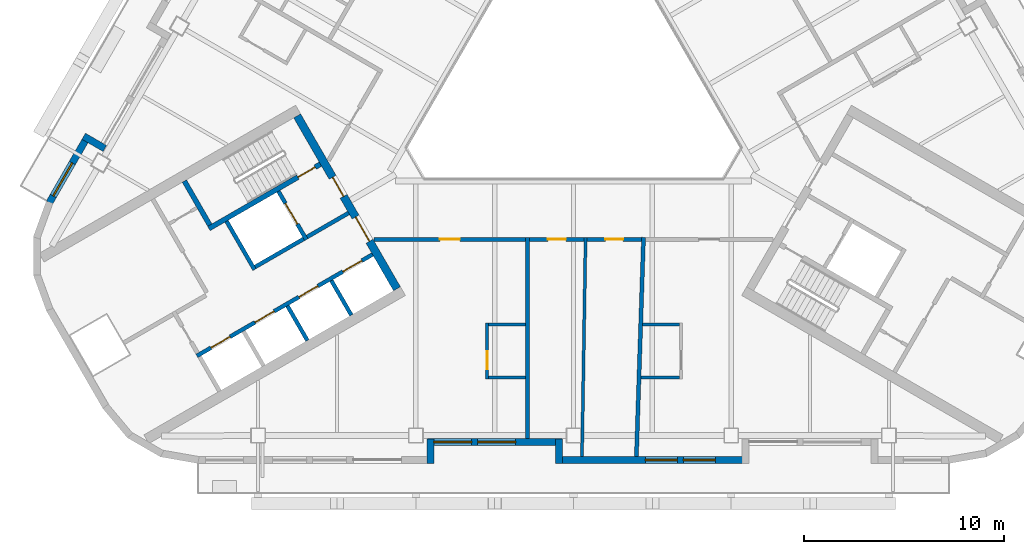
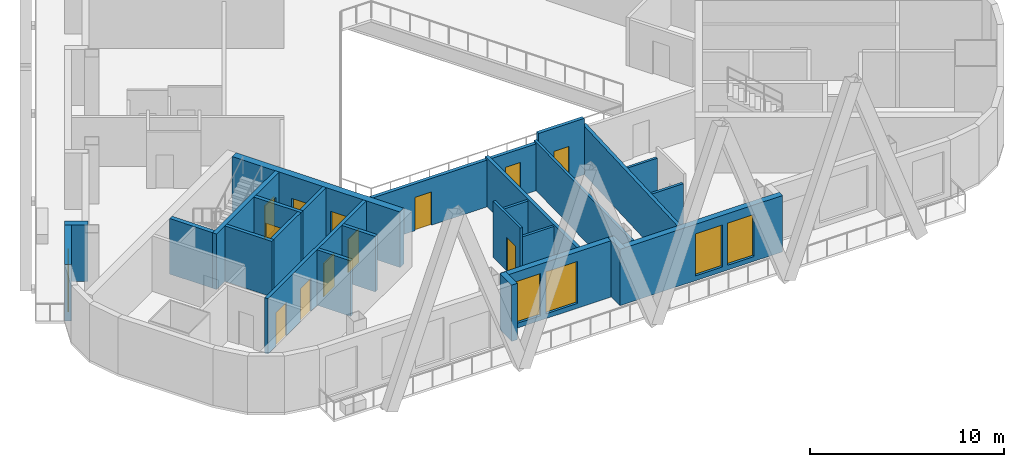
# One storey, part 3 of 14: 27 walls, 12 doors, 5 windows, 17 openings.
"""IFC4 building model written with IfcOpenShell, lengths in metres."""

from ifc_helpers import new_model, si_unit, direction, frame, frame_2d, origin, place, context, subcontext, project, spatial, rectangle, extrude, material, layer, layer_set, type_object, element, fill, save


model = new_model("IFC4")

# Units and contexts
model_context = context("Model", 3, precision=1e-05, world=origin(), true_north=direction((0.0, 1.0)))
body_context = subcontext(model_context, "Body", "Model", "MODEL_VIEW")
ifc_project = project(units=[si_unit("LENGTHUNIT", "METRE"), si_unit("AREAUNIT", "SQUARE_METRE"), si_unit("VOLUMEUNIT", "CUBIC_METRE"), si_unit("PLANEANGLEUNIT", "RADIAN"), si_unit("MASSUNIT", "GRAM", prefix="KILO")], contexts=[model_context])

# Site, building, storey
site_placement = place(None, origin())
site = spatial("IfcSite", under=ifc_project, at=site_placement, CompositionType="ELEMENT")
building_placement = place(site_placement, origin())
building = spatial("IfcBuilding", under=site, at=building_placement, Name="Apuvela Tower Hotel", CompositionType="ELEMENT")
storey_placement = place(building_placement, frame((0.0, 0.0, 213.199951171875)))
storey = spatial("IfcBuildingStorey", under=building, at=storey_placement, Name="L52", CompositionType="ELEMENT", Elevation=213.199951171875)

# Wall, openings, doors
ifc_material_1 = material(Name="Concrete C50/60", Category="concrete")
ifc_layer_1 = layer(ifc_material_1, 0.39990234375)
ifc_layer_set_1 = layer_set([ifc_layer_1], Name="COR-WALL-CORE-400")
wall_type_1 = type_object("IfcWallType", Name="COR-WALL-CORE-400", PredefinedType="SHEAR", material=ifc_layer_set_1)
wall_1_placement = place(storey_placement, frame((-13.844970703125, -2.219970703125, 0.0), z_axis=(0.0, 0.0, 1.0), x_axis=(0.500004234368, -0.866022959057, 0.0)))
wall_1 = element("IfcWall", 1, at=wall_1_placement, inside=storey, type_object=wall_type_1, Name="Core wall SW", PredefinedType="SHEAR", context=body_context, shape_type="SweptSolid", body=[
    extrude(rectangle(XDim=10.0, YDim=0.39990234375, at=frame_2d((5.0, 0.0))), origin(), (0.0, 0.0, 1.0), 3.5),
])
opening_1_placement = place(wall_1_placement, frame((3.550048828125, 0.0, 0.0)))
opening_1 = element("IfcOpeningElement", 2, at=opening_1_placement, cuts=wall_1, Name="Opening W-FD", PredefinedType="OPENING", context=body_context, shape_type="SweptSolid", body=[
    extrude(rectangle(XDim=1.10009765625, YDim=2.10009765625, at=frame_2d((0.550048828125, 1.050048828125))), frame((0.0, 0.2099609375, 0.0), z_axis=(0.0, -1.0, 0.0), x_axis=(1.0, 0.0, 0.0)), (0.0, 0.0, 1.0), 0.419921875),
])
opening_2_placement = place(wall_1_placement, frame((5.85009765625, 0.0, 0.0)))
opening_2 = element("IfcOpeningElement", 3, at=opening_2_placement, cuts=wall_1, Name="Opening W-GD", PredefinedType="OPENING", context=body_context, shape_type="SweptSolid", body=[
    extrude(rectangle(XDim=1.39990234375, YDim=2.10009765625, at=frame_2d((0.699951171875, 1.050048828125))), frame((0.0, 0.2099609375, 0.0), z_axis=(0.0, -1.0, 0.0), x_axis=(1.0, 0.0, 0.0)), (0.0, 0.0, 1.0), 0.419921875),
])
ifc_material_2 = material(Name="Steel fire door, powder coated", Category="steel")
door_type_1 = type_object("IfcDoorType", Name="COR-FD-1100", OperationType="NOTDEFINED", PredefinedType="DOOR", material=ifc_material_2)
door_1_placement = place(opening_1_placement, frame((1.10009765625, 0.0, 0.0), z_axis=(0.0, 0.0, 1.0), x_axis=(-1.0, 0.0, 0.0)))
door_1 = element("IfcDoor", 4, at=door_1_placement, inside=storey, type_object=door_type_1, Name="Firefighting lobby door W-FD", OperationType="SINGLE_SWING_LEFT", OverallHeight=2.10009765625, OverallWidth=1.10009765625, PredefinedType="DOOR", context=body_context, shape_type="SweptSolid", body=[
    extrude(rectangle(XDim=1.10009765625, YDim=2.10009765625, at=frame_2d((0.550048828125, 1.050048828125))), frame((0.0, 0.02490234375, 0.0), z_axis=(0.0, -1.0, 0.0), x_axis=(1.0, 0.0, 0.0)), (0.0, 0.0, 1.0), 0.050048828125),
])
fill(opening_1, door_1)
ifc_material_3 = material(Name="Glazed steel fire door", Category="steel")
door_type_2 = type_object("IfcDoorType", Name="COR-GD-1400", OperationType="DOUBLE_DOOR_SINGLE_SWING", PredefinedType="DOOR", material=ifc_material_3)
door_2_placement = place(opening_2_placement, frame((1.39990234375, 0.0, 0.0), z_axis=(0.0, 0.0, 1.0), x_axis=(-1.0, 0.0, 0.0)))
door_2 = element("IfcDoor", 5, at=door_2_placement, inside=storey, type_object=door_type_2, Name="Lift lobby door W-GD", OperationType="DOUBLE_DOOR_SINGLE_SWING", OverallHeight=2.10009765625, OverallWidth=1.39990234375, PredefinedType="DOOR", context=body_context, shape_type="SweptSolid", body=[
    extrude(rectangle(XDim=1.39990234375, YDim=2.10009765625, at=frame_2d((0.699951171875, 1.050048828125))), frame((0.0, 0.02490234375, 0.0), z_axis=(0.0, -1.0, 0.0), x_axis=(1.0, 0.0, 0.0)), (0.0, 0.0, 1.0), 0.050048828125),
])
fill(opening_2, door_2)

# Wall
ifc_layer_2 = layer(ifc_material_1, 0.199951171875)
ifc_layer_set_2 = layer_set([ifc_layer_2], Name="COR-WALL-SHAFT-200")
wall_type_2 = type_object("IfcWallType", Name="COR-WALL-SHAFT-200", PredefinedType="SHEAR", material=ifc_layer_set_2)
wall_2_placement = place(storey_placement, frame((-17.38134765625, -7.49462890625, 0.0), z_axis=(0.0, 0.0, 1.0), x_axis=(0.500011755427, -0.866018616679, 0.0)))
element("IfcWall", 6, at=wall_2_placement, inside=storey, type_object=wall_type_2, Name="Shaft wall SW", PredefinedType="SHEAR", context=body_context, shape_type="SweptSolid", body=[
    extrude(rectangle(XDim=2.80029296875, YDim=0.199951171875, at=frame_2d((1.400146484375, 0.0))), origin(), (0.0, 0.0, 1.0), 3.5),
])

# Wall, opening, door
wall_3_placement = place(storey_placement, frame((-14.783203125, -5.99462890625, 0.0), z_axis=(0.0, 0.0, 1.0), x_axis=(0.49994636267, -0.866056369097, 0.0)))
wall_3 = element("IfcWall", 7, at=wall_3_placement, inside=storey, type_object=wall_type_2, Name="Shaft wall SW", PredefinedType="SHEAR", context=body_context, shape_type="SweptSolid", body=[
    extrude(rectangle(XDim=2.800048828125, YDim=0.199951171875, at=frame_2d((1.39990234375, 0.0))), origin(), (0.0, 0.0, 1.0), 3.5),
])
opening_3_placement = place(wall_3_placement, frame((0.699951171875, 0.0, 0.0)))
opening_3 = element("IfcOpeningElement", 8, at=opening_3_placement, cuts=wall_3, Name="Opening W-LD-FS2", PredefinedType="OPENING", context=body_context, shape_type="SweptSolid", body=[
    extrude(rectangle(XDim=1.199951171875, YDim=2.10009765625, at=frame_2d((0.60009765625, 1.050048828125))), frame((0.0, 0.10986328125, 0.0), z_axis=(0.0, -1.0, 0.0), x_axis=(1.0, 0.0, 0.0)), (0.0, 0.0, 1.0), 0.219970703125),
])
ifc_material_4 = material(Name="Stainless steel lift landing door", Category="steel")
door_type_3 = type_object("IfcDoorType", Name="COR-LD-1200", OperationType="DOUBLE_DOOR_SLIDING", PredefinedType="DOOR", material=ifc_material_4)
door_3_placement = place(opening_3_placement, origin())
door_3 = element("IfcDoor", 9, at=door_3_placement, inside=storey, type_object=door_type_3, Name="Lift landing door W-LD-FS2", OperationType="DOUBLE_DOOR_SLIDING", OverallHeight=2.10009765625, OverallWidth=1.199951171875, PredefinedType="DOOR", context=body_context, shape_type="SweptSolid", body=[
    extrude(rectangle(XDim=1.199951171875, YDim=2.10009765625, at=frame_2d((0.60009765625, 1.050048828125))), frame((0.0, 0.02490234375, 0.0), z_axis=(0.0, -1.0, 0.0), x_axis=(1.0, 0.0, 0.0)), (0.0, 0.0, 1.0), 0.050048828125),
])
fill(opening_3, door_3)

# Walls
wall_4_placement = place(storey_placement, frame((-13.519775390625, -8.383056640625, 0.0), z_axis=(0.0, 0.0, 1.0), x_axis=(-0.866034573852, -0.49998411664, 0.0)))
element("IfcWall", 10, at=wall_4_placement, inside=storey, type_object=wall_type_2, Name="Shaft wall SW", PredefinedType="SHEAR", context=body_context, shape_type="SweptSolid", body=[
    extrude(rectangle(XDim=2.7998046875, YDim=0.199951171875, at=frame_2d((1.39990234375, 0.0))), origin(), (0.0, 0.0, 1.0), 3.5),
])
wall_5_placement = place(storey_placement, frame((-11.26806640625, -7.0830078125, 0.0), z_axis=(0.0, 0.0, 1.0), x_axis=(-0.866050077142, -0.499957262057, 0.0)))
element("IfcWall", 11, at=wall_5_placement, inside=storey, type_object=wall_type_2, Name="Shaft wall SW", PredefinedType="SHEAR", context=body_context, shape_type="SweptSolid", body=[
    extrude(rectangle(XDim=2.400146484375, YDim=0.199951171875, at=frame_2d((1.2001953125, 0.0))), origin(), (0.0, 0.0, 1.0), 3.5),
])

# Wall, openings, doors
wall_6_placement = place(storey_placement, frame((-10.068115234375, -9.16162109375, 0.0), z_axis=(0.0, 0.0, 1.0), x_axis=(-0.866032725843, -0.499987317609, 0.0)))
wall_6 = element("IfcWall", 12, at=wall_6_placement, inside=storey, type_object=wall_type_2, Name="Shaft wall SW", PredefinedType="SHEAR", context=body_context, shape_type="SweptSolid", body=[
    extrude(rectangle(XDim=10.159912109375, YDim=0.199951171875, at=frame_2d((5.080078125, 0.0))), origin(), (0.0, 0.0, 1.0), 3.5),
])
opening_4_placement = place(wall_6_placement, frame((0.6201171875, 0.0, 0.0)))
opening_4 = element("IfcOpeningElement", 13, at=opening_4_placement, cuts=wall_6, Name="Opening W-LD-MR1", PredefinedType="OPENING", context=body_context, shape_type="SweptSolid", body=[
    extrude(rectangle(XDim=1.10009765625, YDim=2.10009765625, at=frame_2d((0.550048828125, 1.050048828125))), frame((0.0, 0.10986328125, 0.0), z_axis=(0.0, -1.0, 0.0), x_axis=(1.0, 0.0, 0.0)), (0.0, 0.0, 1.0), 0.219970703125),
])
opening_5_placement = place(wall_6_placement, frame((3.159912109375, 0.0, 0.0)))
opening_5 = element("IfcOpeningElement", 14, at=opening_5_placement, cuts=wall_6, Name="Opening W-LD-MR2", PredefinedType="OPENING", context=body_context, shape_type="SweptSolid", body=[
    extrude(rectangle(XDim=1.10009765625, YDim=2.10009765625, at=frame_2d((0.550048828125, 1.050048828125))), frame((0.0, 0.10986328125, 0.0), z_axis=(0.0, -1.0, 0.0), x_axis=(1.0, 0.0, 0.0)), (0.0, 0.0, 1.0), 0.219970703125),
])
opening_6_placement = place(wall_6_placement, frame((5.699951171875, 0.0, 0.0)))
opening_6 = element("IfcOpeningElement", 15, at=opening_6_placement, cuts=wall_6, Name="Opening W-LD-MR3", PredefinedType="OPENING", context=body_context, shape_type="SweptSolid", body=[
    extrude(rectangle(XDim=1.10009765625, YDim=2.10009765625, at=frame_2d((0.550048828125, 1.050048828125))), frame((0.0, 0.10986328125, 0.0), z_axis=(0.0, -1.0, 0.0), x_axis=(1.0, 0.0, 0.0)), (0.0, 0.0, 1.0), 0.219970703125),
])
opening_7_placement = place(wall_6_placement, frame((8.239990234375, 0.0, 0.0)))
opening_7 = element("IfcOpeningElement", 16, at=opening_7_placement, cuts=wall_6, Name="Opening W-LD-MR4", PredefinedType="OPENING", context=body_context, shape_type="SweptSolid", body=[
    extrude(rectangle(XDim=1.10009765625, YDim=2.10009765625, at=frame_2d((0.550048828125, 1.050048828125))), frame((0.0, 0.10986328125, 0.0), z_axis=(0.0, -1.0, 0.0), x_axis=(1.0, 0.0, 0.0)), (0.0, 0.0, 1.0), 0.219970703125),
])
door_type_4 = type_object("IfcDoorType", Name="COR-LD-1100", OperationType="DOUBLE_DOOR_SLIDING", PredefinedType="DOOR", material=ifc_material_4)
door_4_placement = place(opening_4_placement, origin())
door_4 = element("IfcDoor", 17, at=door_4_placement, inside=storey, type_object=door_type_4, Name="Lift landing door W-LD-MR1", OperationType="DOUBLE_DOOR_SLIDING", OverallHeight=2.10009765625, OverallWidth=1.10009765625, PredefinedType="DOOR", context=body_context, shape_type="SweptSolid", body=[
    extrude(rectangle(XDim=1.10009765625, YDim=2.10009765625, at=frame_2d((0.550048828125, 1.050048828125))), frame((0.0, 0.02490234375, 0.0), z_axis=(0.0, -1.0, 0.0), x_axis=(1.0, 0.0, 0.0)), (0.0, 0.0, 1.0), 0.050048828125),
])
fill(opening_4, door_4)
door_5_placement = place(opening_5_placement, origin())
door_5 = element("IfcDoor", 18, at=door_5_placement, inside=storey, type_object=door_type_4, Name="Lift landing door W-LD-MR2", OperationType="DOUBLE_DOOR_SLIDING", OverallHeight=2.10009765625, OverallWidth=1.10009765625, PredefinedType="DOOR", context=body_context, shape_type="SweptSolid", body=[
    extrude(rectangle(XDim=1.10009765625, YDim=2.10009765625, at=frame_2d((0.550048828125, 1.050048828125))), frame((0.0, 0.02490234375, 0.0), z_axis=(0.0, -1.0, 0.0), x_axis=(1.0, 0.0, 0.0)), (0.0, 0.0, 1.0), 0.050048828125),
])
fill(opening_5, door_5)
door_6_placement = place(opening_6_placement, origin())
door_6 = element("IfcDoor", 19, at=door_6_placement, inside=storey, type_object=door_type_4, Name="Lift landing door W-LD-MR3", OperationType="DOUBLE_DOOR_SLIDING", OverallHeight=2.10009765625, OverallWidth=1.10009765625, PredefinedType="DOOR", context=body_context, shape_type="SweptSolid", body=[
    extrude(rectangle(XDim=1.10009765625, YDim=2.10009765625, at=frame_2d((0.550048828125, 1.050048828125))), frame((0.0, 0.02490234375, 0.0), z_axis=(0.0, -1.0, 0.0), x_axis=(1.0, 0.0, 0.0)), (0.0, 0.0, 1.0), 0.050048828125),
])
fill(opening_6, door_6)
door_7_placement = place(opening_7_placement, origin())
door_7 = element("IfcDoor", 20, at=door_7_placement, inside=storey, type_object=door_type_4, Name="Lift landing door W-LD-MR4", OperationType="DOUBLE_DOOR_SLIDING", OverallHeight=2.10009765625, OverallWidth=1.10009765625, PredefinedType="DOOR", context=body_context, shape_type="SweptSolid", body=[
    extrude(rectangle(XDim=1.10009765625, YDim=2.10009765625, at=frame_2d((0.550048828125, 1.050048828125))), frame((0.0, 0.02490234375, 0.0), z_axis=(0.0, -1.0, 0.0), x_axis=(1.0, 0.0, 0.0)), (0.0, 0.0, 1.0), 0.050048828125),
])
fill(opening_7, door_7)

# Walls
for number, where, z_axis, x_axis, name in (
    (21, (-12.131103515625, -10.468017578125, 0.0), (0.0, 0.0, 1.0), (0.499972520799, -0.866041268327, 0.0), "Shaft wall SW"),
    (22, (-14.330810546875, -11.738037109375, 0.0), (0.0, 0.0, 1.0), (0.499972520799, -0.866041268327, 0.0), "Shaft wall SW"),
):
    element("IfcWall", number, at=place(storey_placement, frame(where, z_axis=z_axis, x_axis=x_axis)), inside=storey, type_object=wall_type_2, Name=name, PredefinedType="SHEAR", context=body_context, shape_type="SweptSolid", body=[
        extrude(rectangle(XDim=2.0, YDim=0.199951171875, at=frame_2d((1.0, 0.0))), origin(), (0.0, 0.0, 1.0), 3.5),
    ])

# Wall, opening, door
ifc_layer_3 = layer(ifc_material_1, 0.25)
ifc_layer_set_3 = layer_set([ifc_layer_3], Name="COR-WALL-STAIR-250")
wall_type_3 = type_object("IfcWallType", Name="COR-WALL-STAIR-250", PredefinedType="SHEAR", material=ifc_layer_set_3)
wall_7_placement = place(storey_placement, frame((-12.6806640625, -4.636474609375, 0.0), z_axis=(0.0, 0.0, 1.0), x_axis=(-0.866021702275, -0.500006411147, 0.0)))
wall_7 = element("IfcWall", 23, at=wall_7_placement, inside=storey, type_object=wall_type_3, Name="Stair wall SW", PredefinedType="SHEAR", context=body_context, shape_type="SweptSolid", body=[
    extrude(rectangle(XDim=6.4501953125, YDim=0.25, at=frame_2d((3.22509765625, 0.0))), origin(), (0.0, 0.0, 1.0), 3.5),
])
opening_8_placement = place(wall_7_placement, frame((0.300048828125, 0.0, 0.0)))
opening_8 = element("IfcOpeningElement", 24, at=opening_8_placement, cuts=wall_7, Name="Opening W-SD", PredefinedType="OPENING", context=body_context, shape_type="SweptSolid", body=[
    extrude(rectangle(XDim=1.0, YDim=2.10009765625, at=frame_2d((0.5, 1.050048828125))), frame((0.0, 0.135009765625, 0.0), z_axis=(0.0, -1.0, 0.0), x_axis=(1.0, 0.0, 0.0)), (0.0, 0.0, 1.0), 0.27001953125),
])
door_type_5 = type_object("IfcDoorType", Name="COR-SD-1000", OperationType="NOTDEFINED", PredefinedType="DOOR", material=ifc_material_2)
door_8_placement = place(opening_8_placement, frame((1.0, 0.0, 0.0), z_axis=(0.0, 0.0, 1.0), x_axis=(-1.0, 0.0, 0.0)))
door_8 = element("IfcDoor", 25, at=door_8_placement, inside=storey, type_object=door_type_5, Name="Stair door W-SD", OperationType="SINGLE_SWING_LEFT", OverallHeight=2.10009765625, OverallWidth=1.0, PredefinedType="DOOR", context=body_context, shape_type="SweptSolid", body=[
    extrude(rectangle(XDim=1.0, YDim=2.10009765625, at=frame_2d((0.5, 1.050048828125))), frame((0.0, 0.02490234375, 0.0), z_axis=(0.0, -1.0, 0.0), x_axis=(1.0, 0.0, 0.0)), (0.0, 0.0, 1.0), 0.050048828125),
])
fill(opening_8, door_8)

# Walls
wall_8_placement = place(storey_placement, frame((-19.49560546875, -5.482421875, 0.0), z_axis=(0.0, 0.0, 1.0), x_axis=(0.499990435942, -0.866030925526, 0.0)))
element("IfcWall", 26, at=wall_8_placement, inside=storey, type_object=wall_type_3, Name="Stair wall SW", PredefinedType="SHEAR", context=body_context, shape_type="SweptSolid", body=[
    extrude(rectangle(XDim=2.5498046875, YDim=0.25, at=frame_2d((1.27490234375, 0.0))), origin(), (0.0, 0.0, 1.0), 3.5),
])
ifc_material_5 = material(Name="Concrete C40/50, dark pigmented precast panel", Category="concrete")
ifc_layer_4 = layer(ifc_material_5, 0.35009765625)
ifc_layer_set_4 = layer_set([ifc_layer_4], Name="ENV-WALL-350")
wall_type_4 = type_object("IfcWallType", Name="ENV-WALL-350", PredefinedType="SOLIDWALL", material=ifc_layer_set_4)
wall_9_placement = place(storey_placement, frame((-23.48095703125, -3.85009765625, 0.0), z_axis=(0.0, 0.0, 1.0), x_axis=(-0.866092288191, 0.499884134912, 0.0)))
element("IfcWall", 27, at=wall_9_placement, inside=storey, type_object=wall_type_4, Name="External wall L52-08", PredefinedType="SOLIDWALL", context=body_context, shape_type="SweptSolid", body=[
    extrude(rectangle(XDim=1.219970703125, YDim=0.35009765625, at=frame_2d((0.60986328125, 0.0))), origin(), (0.0, 0.0, 1.0), 3.550048828125),
])

# Wall, opening, window
wall_10_placement = place(storey_placement, frame((-24.298583984375, -3.17626953125, 0.0), z_axis=(0.0, 0.0, 1.0), x_axis=(-0.500028278809, -0.866009076391, 0.0)))
wall_10 = element("IfcWall", 28, at=wall_10_placement, inside=storey, type_object=wall_type_4, Name="External wall L52-09", PredefinedType="SOLIDWALL", context=body_context, shape_type="SweptSolid", body=[
    extrude(rectangle(XDim=3.915771484375, YDim=0.35009765625, at=frame_2d((1.9580078125, 0.0))), origin(), (0.0, 0.0, 1.0), 3.550048828125),
])
opening_9_placement = place(wall_10_placement, frame((1.625, 0.0, 0.300048828125)))
opening_9 = element("IfcOpeningElement", 29, at=opening_9_placement, cuts=wall_10, Name="Opening WN19", PredefinedType="OPENING", context=body_context, shape_type="SweptSolid", body=[
    extrude(rectangle(XDim=1.89990234375, YDim=2.64990234375, at=frame_2d((0.949951171875, 1.324951171875))), frame((0.0, 0.18505859375, 0.0), z_axis=(0.0, -1.0, 0.0), x_axis=(1.0, 0.0, 0.0)), (0.0, 0.0, 1.0), 0.3701171875),
])
ifc_material_6 = material(Name="Glass, dark tinted laminated insulated glazing unit", Category="glass")
window_type_1 = type_object("IfcWindowType", Name="ENV-WIN-1900x2650", PartitioningType="SINGLE_PANEL", PredefinedType="WINDOW", material=ifc_material_6)
window_1_placement = place(opening_9_placement, origin())
window_1 = element("IfcWindow", 30, at=window_1_placement, inside=storey, type_object=window_type_1, Name="Window WN19", OverallHeight=2.64990234375, OverallWidth=1.89990234375, PartitioningType="SINGLE_PANEL", PredefinedType="WINDOW", context=body_context, shape_type="SweptSolid", body=[
    extrude(rectangle(XDim=1.89990234375, YDim=2.64990234375, at=frame_2d((0.949951171875, 1.324951171875))), frame((0.0, 0.030029296875, 0.0), z_axis=(0.0, -1.0, 0.0), x_axis=(1.0, 0.0, 0.0)), (0.0, 0.0, 1.0), 0.06005859375),
])
fill(opening_9, window_1)

# Wall
wall_11_placement = place(storey_placement, frame((-7.175048828125, -19.6298828125, 0.0), z_axis=(0.0, 0.0, 1.0), x_axis=(0.0, 1.0, 0.0)))
element("IfcWall", 31, at=wall_11_placement, inside=storey, type_object=wall_type_4, Name="External wall L52-18", PredefinedType="SOLIDWALL", context=body_context, shape_type="SweptSolid", body=[
    extrude(rectangle(XDim=1.219970703125, YDim=0.35009765625, at=frame_2d((0.60986328125, 0.0))), origin(), (0.0, 0.0, 1.0), 3.550048828125),
])

# Wall, openings, windows
wall_12_placement = place(storey_placement, frame((-7.320068359375, -18.554931640625, 0.0), z_axis=(0.0, 0.0, 1.0), x_axis=(1.0, 0.0, 0.0)))
wall_12 = element("IfcWall", 32, at=wall_12_placement, inside=storey, type_object=wall_type_4, Name="External wall L52-19", PredefinedType="SOLIDWALL", context=body_context, shape_type="SweptSolid", body=[
    extrude(rectangle(XDim=6.739990234375, YDim=0.35009765625, at=frame_2d((3.3701171875, 0.0))), origin(), (0.0, 0.0, 1.0), 3.550048828125),
])
opening_10_placement = place(wall_12_placement, frame((0.3203125, 0.0, 0.300048828125)))
opening_10 = element("IfcOpeningElement", 33, at=opening_10_placement, cuts=wall_12, Name="Opening WN19", PredefinedType="OPENING", context=body_context, shape_type="SweptSolid", body=[
    extrude(rectangle(XDim=1.89990234375, YDim=2.64990234375, at=frame_2d((0.949951171875, 1.324951171875))), frame((0.0, 0.18505859375, 0.0), z_axis=(0.0, -1.0, 0.0), x_axis=(1.0, 0.0, 0.0)), (0.0, 0.0, 1.0), 0.3701171875),
])
opening_11_placement = place(wall_12_placement, frame((2.5205078125, 0.0, 0.300048828125)))
opening_11 = element("IfcOpeningElement", 34, at=opening_11_placement, cuts=wall_12, Name="Opening WN19", PredefinedType="OPENING", context=body_context, shape_type="SweptSolid", body=[
    extrude(rectangle(XDim=1.89990234375, YDim=2.64990234375, at=frame_2d((0.949951171875, 1.324951171875))), frame((0.0, 0.18505859375, 0.0), z_axis=(0.0, -1.0, 0.0), x_axis=(1.0, 0.0, 0.0)), (0.0, 0.0, 1.0), 0.3701171875),
])
window_2_placement = place(opening_10_placement, origin())
window_2 = element("IfcWindow", 35, at=window_2_placement, inside=storey, type_object=window_type_1, Name="Window WN19", OverallHeight=2.64990234375, OverallWidth=1.89990234375, PartitioningType="SINGLE_PANEL", PredefinedType="WINDOW", context=body_context, shape_type="SweptSolid", body=[
    extrude(rectangle(XDim=1.89990234375, YDim=2.64990234375, at=frame_2d((0.949951171875, 1.324951171875))), frame((0.0, 0.030029296875, 0.0), z_axis=(0.0, -1.0, 0.0), x_axis=(1.0, 0.0, 0.0)), (0.0, 0.0, 1.0), 0.06005859375),
])
fill(opening_10, window_2)
window_3_placement = place(opening_11_placement, origin())
window_3 = element("IfcWindow", 36, at=window_3_placement, inside=storey, type_object=window_type_1, Name="Window WN19", OverallHeight=2.64990234375, OverallWidth=1.89990234375, PartitioningType="SINGLE_PANEL", PredefinedType="WINDOW", context=body_context, shape_type="SweptSolid", body=[
    extrude(rectangle(XDim=1.89990234375, YDim=2.64990234375, at=frame_2d((0.949951171875, 1.324951171875))), frame((0.0, 0.030029296875, 0.0), z_axis=(0.0, -1.0, 0.0), x_axis=(1.0, 0.0, 0.0)), (0.0, 0.0, 1.0), 0.06005859375),
])
fill(opening_11, window_3)

# Wall
wall_13_placement = place(storey_placement, frame((-0.72509765625, -18.409912109375, 0.0), z_axis=(0.0, 0.0, 1.0), x_axis=(0.0, -1.0, 0.0)))
element("IfcWall", 37, at=wall_13_placement, inside=storey, type_object=wall_type_4, Name="External wall L52-20", PredefinedType="SOLIDWALL", context=body_context, shape_type="SweptSolid", body=[
    extrude(rectangle(XDim=1.219970703125, YDim=0.35009765625, at=frame_2d((0.60986328125, 0.0))), origin(), (0.0, 0.0, 1.0), 3.550048828125),
])

# Wall, openings, windows
wall_14_placement = place(storey_placement, frame((-0.89990234375, -19.455078125, 0.0), z_axis=(0.0, 0.0, 1.0), x_axis=(1.0, 0.0, 0.0)))
wall_14 = element("IfcWall", 38, at=wall_14_placement, inside=storey, type_object=wall_type_4, Name="External wall L52-21", PredefinedType="SOLIDWALL", context=body_context, shape_type="SweptSolid", body=[
    extrude(rectangle(XDim=9.699951171875, YDim=0.35009765625, at=frame_2d((4.85009765625, 0.0))), origin(), (0.0, 0.0, 1.0), 3.550048828125),
])
opening_12_placement = place(wall_14_placement, frame((4.5, 0.0, 0.300048828125)))
opening_12 = element("IfcOpeningElement", 39, at=opening_12_placement, cuts=wall_14, Name="Opening WN16", PredefinedType="OPENING", context=body_context, shape_type="SweptSolid", body=[
    extrude(rectangle(XDim=1.60009765625, YDim=2.64990234375, at=frame_2d((0.800048828125, 1.324951171875))), frame((0.0, 0.18505859375, 0.0), z_axis=(0.0, -1.0, 0.0), x_axis=(1.0, 0.0, 0.0)), (0.0, 0.0, 1.0), 0.3701171875),
])
opening_13_placement = place(wall_14_placement, frame((6.39990234375, 0.0, 0.300048828125)))
opening_13 = element("IfcOpeningElement", 40, at=opening_13_placement, cuts=wall_14, Name="Opening WN16", PredefinedType="OPENING", context=body_context, shape_type="SweptSolid", body=[
    extrude(rectangle(XDim=1.60009765625, YDim=2.64990234375, at=frame_2d((0.800048828125, 1.324951171875))), frame((0.0, 0.18505859375, 0.0), z_axis=(0.0, -1.0, 0.0), x_axis=(1.0, 0.0, 0.0)), (0.0, 0.0, 1.0), 0.3701171875),
])
window_type_2 = type_object("IfcWindowType", Name="ENV-WIN-1600x2650", PartitioningType="SINGLE_PANEL", PredefinedType="WINDOW", material=ifc_material_6)
window_4_placement = place(opening_12_placement, origin())
window_4 = element("IfcWindow", 41, at=window_4_placement, inside=storey, type_object=window_type_2, Name="Window WN16", OverallHeight=2.64990234375, OverallWidth=1.60009765625, PartitioningType="SINGLE_PANEL", PredefinedType="WINDOW", context=body_context, shape_type="SweptSolid", body=[
    extrude(rectangle(XDim=1.60009765625, YDim=2.64990234375, at=frame_2d((0.800048828125, 1.324951171875))), frame((0.0, 0.030029296875, 0.0), z_axis=(0.0, -1.0, 0.0), x_axis=(1.0, 0.0, 0.0)), (0.0, 0.0, 1.0), 0.06005859375),
])
fill(opening_12, window_4)
window_5_placement = place(opening_13_placement, origin())
window_5 = element("IfcWindow", 42, at=window_5_placement, inside=storey, type_object=window_type_2, Name="Window WN16", OverallHeight=2.64990234375, OverallWidth=1.60009765625, PartitioningType="SINGLE_PANEL", PredefinedType="WINDOW", context=body_context, shape_type="SweptSolid", body=[
    extrude(rectangle(XDim=1.60009765625, YDim=2.64990234375, at=frame_2d((0.800048828125, 1.324951171875))), frame((0.0, 0.030029296875, 0.0), z_axis=(0.0, -1.0, 0.0), x_axis=(1.0, 0.0, 0.0)), (0.0, 0.0, 1.0), 0.06005859375),
])
fill(opening_13, window_5)

# Walls
ifc_material_7 = material(Name="Gypsum board partition on twin steel stud", Category="steel")
ifc_layer_5 = layer(ifc_material_7, 0.199951171875)
ifc_layer_set_5 = layer_set([ifc_layer_5], Name="GST-PW1")
wall_type_5 = type_object("IfcWallType", Name="GST-PW1", PredefinedType="PARTITIONING", material=ifc_layer_set_5)
wall_15_placement = place(storey_placement, frame((-2.300048828125, -18.3798828125, 0.0), z_axis=(0.0, 0.0, 1.0), x_axis=(0.0, 1.0, 0.0)))
element("IfcWall", 43, at=wall_15_placement, inside=storey, type_object=wall_type_5, Name="L52 partition 01", PredefinedType="PARTITIONING", context=body_context, shape_type="SweptSolid", body=[
    extrude(rectangle(XDim=10.079833984375, YDim=0.199951171875, at=frame_2d((5.0400390625, 0.0))), origin(), (0.0, 0.0, 1.0), 3.06005859375),
])
wall_16_placement = place(storey_placement, frame((3.14990234375, -19.280029296875, 0.0), z_axis=(0.0, 0.0, 1.0), x_axis=(0.032468308586, 0.999472765481, 0.0)))
element("IfcWall", 44, at=wall_16_placement, inside=storey, type_object=wall_type_5, Name="L52 partition 02", PredefinedType="PARTITIONING", context=body_context, shape_type="SweptSolid", body=[
    extrude(rectangle(XDim=10.98583984375, YDim=0.199951171875, at=frame_2d((5.492919921875, 0.0))), origin(), (0.0, 0.0, 1.0), 3.06005859375),
])

# Wall, opening, door
ifc_material_8 = material(Name="Gypsum board corridor wall on twin steel stud, acoustic", Category="steel")
ifc_layer_6 = layer(ifc_material_8, 0.199951171875)
ifc_layer_set_6 = layer_set([ifc_layer_6], Name="GST-PW2")
wall_type_6 = type_object("IfcWallType", Name="GST-PW2", PredefinedType="PARTITIONING", material=ifc_layer_set_6)
wall_17_placement = place(storey_placement, frame((-2.39990234375, -8.39990234375, 0.0), z_axis=(0.0, 0.0, 1.0), x_axis=(-1.0, 0.0, 0.0)))
wall_17 = element("IfcWall", 45, at=wall_17_placement, inside=storey, type_object=wall_type_6, Name="L52 partition 07", PredefinedType="PARTITIONING", context=body_context, shape_type="SweptSolid", body=[
    extrude(rectangle(XDim=7.58837890625, YDim=0.199951171875, at=frame_2d((3.794189453125, 0.0))), origin(), (0.0, 0.0, 1.0), 2.949951171875),
])
opening_14_placement = place(wall_17_placement, frame((3.294189453125, 0.0, 0.0)))
opening_14 = element("IfcOpeningElement", 46, at=opening_14_placement, cuts=wall_17, Name="Opening GD20-02", PredefinedType="OPENING", context=body_context, shape_type="SweptSolid", body=[
    extrude(rectangle(XDim=1.0, YDim=2.10009765625, at=frame_2d((0.5, 1.050048828125))), frame((0.0, 0.10986328125, 0.0), z_axis=(0.0, -1.0, 0.0), x_axis=(1.0, 0.0, 0.0)), (0.0, 0.0, 1.0), 0.219970703125),
])
ifc_material_9 = material(Name="Timber door leaf in steel frame", Category="steel")
door_type_6 = type_object("IfcDoorType", Name="GST-D1", OperationType="NOTDEFINED", PredefinedType="DOOR", material=ifc_material_9)
door_9_placement = place(opening_14_placement, origin())
door_9 = element("IfcDoor", 47, at=door_9_placement, inside=storey, type_object=door_type_6, Name="Door L52-02", OperationType="SINGLE_SWING_LEFT", OverallHeight=2.10009765625, OverallWidth=1.0, PredefinedType="DOOR", context=body_context, shape_type="SweptSolid", body=[
    extrude(rectangle(XDim=1.0, YDim=2.10009765625, at=frame_2d((0.5, 1.050048828125))), frame((0.0, 0.02490234375, 0.0), z_axis=(0.0, -1.0, 0.0), x_axis=(1.0, 0.0, 0.0)), (0.0, 0.0, 1.0), 0.050048828125),
])
fill(opening_14, door_9)

wall_18_placement = place(storey_placement, frame((0.526611328125, -8.39990234375, 0.0), z_axis=(0.0, 0.0, 1.0), x_axis=(-1.0, 0.0, 0.0)))
wall_18 = element("IfcWall", 48, at=wall_18_placement, inside=storey, type_object=wall_type_6, Name="L52 partition 12", PredefinedType="PARTITIONING", context=body_context, shape_type="SweptSolid", body=[
    extrude(rectangle(XDim=2.7265625, YDim=0.199951171875, at=frame_2d((1.36328125, 0.0))), origin(), (0.0, 0.0, 1.0), 2.949951171875),
])
opening_15_placement = place(wall_18_placement, frame((0.913330078125, 0.0, 0.0)))
opening_15 = element("IfcOpeningElement", 49, at=opening_15_placement, cuts=wall_18, Name="Opening GD20-03", PredefinedType="OPENING", context=body_context, shape_type="SweptSolid", body=[
    extrude(rectangle(XDim=0.89990234375, YDim=2.10009765625, at=frame_2d((0.449951171875, 1.050048828125))), frame((0.0, 0.10986328125, 0.0), z_axis=(0.0, -1.0, 0.0), x_axis=(1.0, 0.0, 0.0)), (0.0, 0.0, 1.0), 0.219970703125),
])
door_type_7 = type_object("IfcDoorType", Name="GST-D2", OperationType="NOTDEFINED", PredefinedType="DOOR", material=ifc_material_9)
door_10_placement = place(opening_15_placement, origin())
door_10 = element("IfcDoor", 50, at=door_10_placement, inside=storey, type_object=door_type_7, Name="Door L52-03", OperationType="SINGLE_SWING_LEFT", OverallHeight=2.10009765625, OverallWidth=0.89990234375, PredefinedType="DOOR", context=body_context, shape_type="SweptSolid", body=[
    extrude(rectangle(XDim=0.89990234375, YDim=2.10009765625, at=frame_2d((0.449951171875, 1.050048828125))), frame((0.0, 0.02490234375, 0.0), z_axis=(0.0, -1.0, 0.0), x_axis=(1.0, 0.0, 0.0)), (0.0, 0.0, 1.0), 0.050048828125),
])
fill(opening_15, door_10)

wall_19_placement = place(storey_placement, frame((3.4033203125, -8.39990234375, 0.0), z_axis=(0.0, 0.0, 1.0), x_axis=(-1.0, 0.0, 0.0)))
wall_19 = element("IfcWall", 51, at=wall_19_placement, inside=storey, type_object=wall_type_6, Name="L52 partition 13", PredefinedType="PARTITIONING", context=body_context, shape_type="SweptSolid", body=[
    extrude(rectangle(XDim=2.726806640625, YDim=0.199951171875, at=frame_2d((1.36328125, 0.0))), origin(), (0.0, 0.0, 1.0), 3.550048828125),
])
opening_16_placement = place(wall_19_placement, frame((0.913330078125, 0.0, 0.0)))
opening_16 = element("IfcOpeningElement", 52, at=opening_16_placement, cuts=wall_19, Name="Opening GD20-04", PredefinedType="OPENING", context=body_context, shape_type="SweptSolid", body=[
    extrude(rectangle(XDim=0.89990234375, YDim=2.10009765625, at=frame_2d((0.449951171875, 1.050048828125))), frame((0.0, 0.10986328125, 0.0), z_axis=(0.0, -1.0, 0.0), x_axis=(1.0, 0.0, 0.0)), (0.0, 0.0, 1.0), 0.219970703125),
])
door_11_placement = place(opening_16_placement, origin())
door_11 = element("IfcDoor", 53, at=door_11_placement, inside=storey, type_object=door_type_7, Name="Door L52-04", OperationType="SINGLE_SWING_RIGHT", OverallHeight=2.10009765625, OverallWidth=0.89990234375, PredefinedType="DOOR", context=body_context, shape_type="SweptSolid", body=[
    extrude(rectangle(XDim=0.89990234375, YDim=2.10009765625, at=frame_2d((0.449951171875, 1.050048828125))), frame((0.0, 0.02490234375, 0.0), z_axis=(0.0, -1.0, 0.0), x_axis=(1.0, 0.0, 0.0)), (0.0, 0.0, 1.0), 0.050048828125),
])
fill(opening_16, door_11)

ifc_material_10 = material(Name="Moisture-resistant gypsum board wet wall on steel stud", Category="steel")
ifc_layer_7 = layer(ifc_material_10, 0.14990234375)
ifc_layer_set_7 = layer_set([ifc_layer_7], Name="GST-PW3")
wall_type_7 = type_object("IfcWallType", Name="GST-PW3", PredefinedType="PARTITIONING", material=ifc_layer_set_7)
wall_20_placement = place(storey_placement, frame((-4.324951171875, -12.60009765625, 0.0), z_axis=(0.0, 0.0, 1.0), x_axis=(0.0, -1.0, 0.0)))
wall_20 = element("IfcWall", 54, at=wall_20_placement, inside=storey, type_object=wall_type_7, Name="L52 partition 08", PredefinedType="PARTITIONING", context=body_context, shape_type="SweptSolid", body=[
    extrude(rectangle(XDim=2.7998046875, YDim=0.14990234375, at=frame_2d((1.39990234375, 0.0))), origin(), (0.0, 0.0, 1.0), 3.550048828125),
])
opening_17_placement = place(wall_20_placement, frame((1.39990234375, 0.0, 0.0)))
opening_17 = element("IfcOpeningElement", 55, at=opening_17_placement, cuts=wall_20, Name="Opening GD20-01", PredefinedType="OPENING", context=body_context, shape_type="SweptSolid", body=[
    extrude(rectangle(XDim=0.89990234375, YDim=2.10009765625, at=frame_2d((0.449951171875, 1.050048828125))), frame((0.0, 0.0849609375, 0.0), z_axis=(0.0, -1.0, 0.0), x_axis=(1.0, 0.0, 0.0)), (0.0, 0.0, 1.0), 0.169921875),
])
door_12_placement = place(opening_17_placement, origin())
door_12 = element("IfcDoor", 56, at=door_12_placement, inside=storey, type_object=door_type_7, Name="Door L52-01", OperationType="SINGLE_SWING_RIGHT", OverallHeight=2.10009765625, OverallWidth=0.89990234375, PredefinedType="DOOR", context=body_context, shape_type="SweptSolid", body=[
    extrude(rectangle(XDim=0.89990234375, YDim=2.10009765625, at=frame_2d((0.449951171875, 1.050048828125))), frame((0.0, 0.02490234375, 0.0), z_axis=(0.0, -1.0, 0.0), x_axis=(1.0, 0.0, 0.0)), (0.0, 0.0, 1.0), 0.050048828125),
])
fill(opening_17, door_12)

# Walls
for number, where, z_axis, x_axis, name in (
    (57, (-4.25, -15.324951171875, 0.0), (0.0, 0.0, 1.0), (1.0, 0.0, 0.0), "L52 partition 09"),
    (58, (-4.25, -12.675048828125, 0.0), (0.0, 0.0, 1.0), (1.0, 0.0, 0.0), "L52 partition 10"),
):
    element("IfcWall", number, at=place(storey_placement, frame(where, z_axis=z_axis, x_axis=x_axis)), inside=storey, type_object=wall_type_7, Name=name, PredefinedType="PARTITIONING", context=body_context, shape_type="SweptSolid", body=[
        extrude(rectangle(XDim=1.85009765625, YDim=0.14990234375, at=frame_2d((0.925048828125, 0.0))), origin(), (0.0, 0.0, 1.0), 2.949951171875),
    ])
wall_21_placement = place(storey_placement, frame((0.425048828125, -19.280029296875, 0.0), z_axis=(0.0, 0.0, 1.0), x_axis=(0.016229462675, 0.999868293597, 0.0)))
element("IfcWall", 59, at=wall_21_placement, inside=storey, type_object=wall_type_7, Name="L52 partition 11", PredefinedType="PARTITIONING", context=body_context, shape_type="SweptSolid", body=[
    extrude(rectangle(XDim=10.9814453125, YDim=0.14990234375, at=frame_2d((5.49072265625, 0.0))), origin(), (0.0, 0.0, 1.0), 3.06005859375),
])
wall_22_placement = place(storey_placement, frame((3.37841796875, -15.324951171875, 0.0), z_axis=(0.0, 0.0, 1.0), x_axis=(1.0, 0.0, 0.0)))
element("IfcWall", 60, at=wall_22_placement, inside=storey, type_object=wall_type_7, Name="L52 partition 16", PredefinedType="PARTITIONING", context=body_context, shape_type="SweptSolid", body=[
    extrude(rectangle(XDim=1.9384765625, YDim=0.14990234375, at=frame_2d((0.96923828125, 0.0))), origin(), (0.0, 0.0, 1.0), 2.949951171875),
])
wall_23_placement = place(storey_placement, frame((3.464599609375, -12.675048828125, 0.0), z_axis=(0.0, 0.0, 1.0), x_axis=(1.0, 0.0, 0.0)))
element("IfcWall", 61, at=wall_23_placement, inside=storey, type_object=wall_type_7, Name="L52 partition 17", PredefinedType="PARTITIONING", context=body_context, shape_type="SweptSolid", body=[
    extrude(rectangle(XDim=1.852294921875, YDim=0.14990234375, at=frame_2d((0.92626953125, 0.0))), origin(), (0.0, 0.0, 1.0), 2.949951171875),
])

save(model, "model.ifc")
